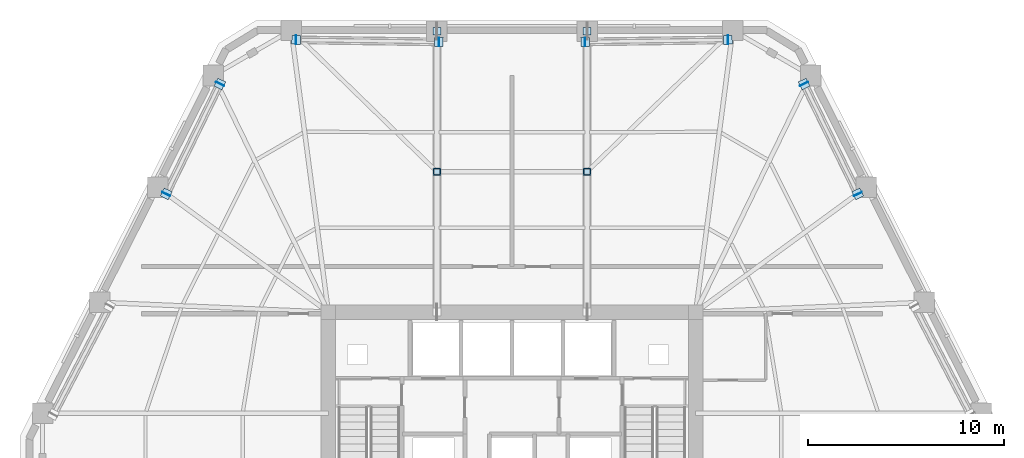
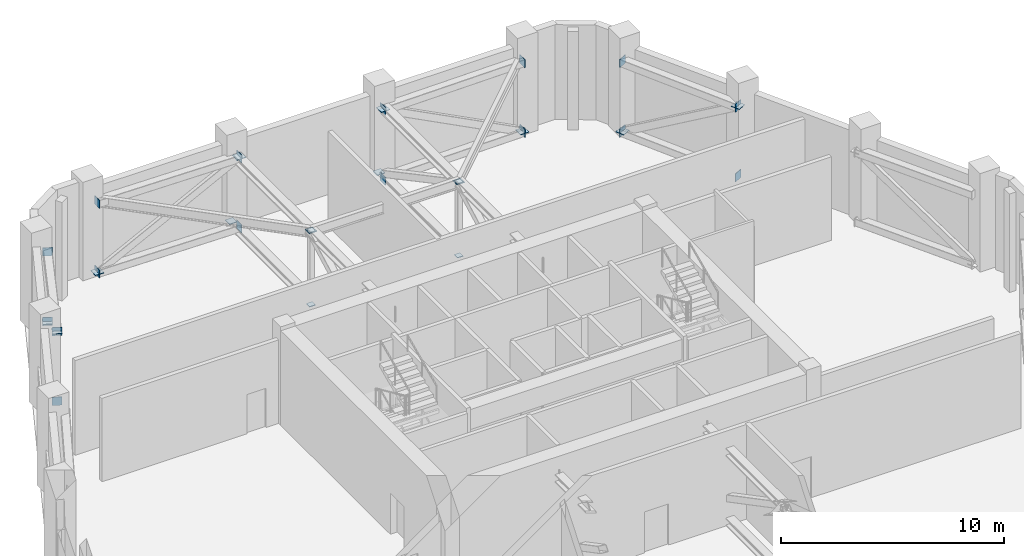
# One storey, part 9 of 15: 32 plates.
"""IFC4 building model written with IfcOpenShell, lengths in metres."""

from ifc_helpers import new_model, si_unit, direction, frame, origin, origin_2d, place, context, subcontext, project, spatial, rectangle, extrude, material, layer, layer_set, type_object, element, save


model = new_model("IFC4")

# Units and contexts
model_context = context("Model", 3, precision=1e-05, world=origin(), true_north=direction((0.0, 1.0)))
body_context = subcontext(model_context, "Body", "Model", "MODEL_VIEW")
ifc_project = project(units=[si_unit("LENGTHUNIT", "METRE"), si_unit("AREAUNIT", "SQUARE_METRE"), si_unit("VOLUMEUNIT", "CUBIC_METRE"), si_unit("PLANEANGLEUNIT", "RADIAN"), si_unit("MASSUNIT", "GRAM", prefix="KILO")], contexts=[model_context])

# Site, building, storey
site_placement = place(None, origin())
site = spatial("IfcSite", under=ifc_project, at=site_placement, CompositionType="ELEMENT")
building_placement = place(site_placement, origin())
building = spatial("IfcBuilding", under=site, at=building_placement, Name="Cinnabar Lancet Tower", CompositionType="ELEMENT")
storey_placement = place(building_placement, frame((0.0, 0.0, 148.10009765625)))
storey = spatial("IfcBuildingStorey", under=building, at=storey_placement, Name="L39", CompositionType="ELEMENT", Elevation=148.10009765625)

# Plates
ifc_material = material(Name="Structural steel S460", Category="steel")
ifc_layer = layer(ifc_material, 0.030029296875)
ifc_layer_set = layer_set([ifc_layer], Name="Structural steel S460")
plate_type = type_object("IfcPlateType", Name="STR-PL-CAP-25", PredefinedType="SHEET", material=ifc_layer_set)
for number, where, z_axis, x_axis, name in (
    (1, (36.23193359375, 40.44091796875, -0.02490234375), (0.0, 0.0, 1.0), (1.0, 0.0, 0.0), "Hollow section end cap plate CP-OTVP-L39-3B"),
    (2, (36.23193359375, 40.44091796875, 4.03466796875), (0.0, 0.0, 1.0), (1.0, 0.0, 0.0), "Hollow section end cap plate CP-OTVP-L39-3T"),
):
    element("IfcPlate", number, at=place(storey_placement, frame(where, z_axis=z_axis, x_axis=x_axis)), inside=storey, type_object=plate_type, Name=name, PredefinedType="SHEET", context=body_context, shape_type="SweptSolid", body=[
        extrude(rectangle(XDim=0.300048828125, YDim=0.300048828125, at=origin_2d()), origin(), (0.0, 0.0, 1.0), 0.030029296875),
    ])
for number, where, z_axis, x_axis, name in (
    (3, (36.23193359375, 40.44091796875, 4.03466796875), (0.0, 0.0, 1.0), (0.0, 1.0, 0.0), "Hollow section end cap plate CP-OTD-L39-3-1B"),
    (4, (36.23193359375, 47.60791015625, 0.19482421875), (0.0, 0.0, 1.0), (0.0, 1.0, 0.0), "Hollow section end cap plate CP-OTD-L39-3-2B"),
):
    element("IfcPlate", number, at=place(storey_placement, frame(where, z_axis=z_axis, x_axis=x_axis)), inside=storey, type_object=plate_type, Name=name, PredefinedType="SHEET", context=body_context, shape_type="SweptSolid", body=[
        extrude(rectangle(XDim=0.39990234375, YDim=0.39990234375, at=origin_2d()), origin(), (0.0, 0.0, 1.0), 0.030029296875),
    ])
for number, where, z_axis, x_axis, name in (
    (5, (28.568115234375, 40.44091796875, -0.02490234375), (0.0, 0.0, 1.0), (1.0, 0.0, 0.0), "Hollow section end cap plate CP-OTVP-L39-4B"),
    (6, (28.568115234375, 40.44091796875, 4.03466796875), (0.0, 0.0, 1.0), (1.0, 0.0, 0.0), "Hollow section end cap plate CP-OTVP-L39-4T"),
):
    element("IfcPlate", number, at=place(storey_placement, frame(where, z_axis=z_axis, x_axis=x_axis)), inside=storey, type_object=plate_type, Name=name, PredefinedType="SHEET", context=body_context, shape_type="SweptSolid", body=[
        extrude(rectangle(XDim=0.300048828125, YDim=0.300048828125, at=origin_2d()), origin(), (0.0, 0.0, 1.0), 0.030029296875),
    ])
for number, where, z_axis, x_axis, name in (
    (7, (28.568115234375, 40.44091796875, 4.03466796875), (0.0, 0.0, 1.0), (0.0, 1.0, 0.0), "Hollow section end cap plate CP-OTD-L39-4-1B"),
    (8, (28.568115234375, 47.60791015625, 0.19482421875), (0.0, 0.0, 1.0), (0.0, 1.0, 0.0), "Hollow section end cap plate CP-OTD-L39-4-2B"),
):
    element("IfcPlate", number, at=place(storey_placement, frame(where, z_axis=z_axis, x_axis=x_axis)), inside=storey, type_object=plate_type, Name=name, PredefinedType="SHEET", context=body_context, shape_type="SweptSolid", body=[
        extrude(rectangle(XDim=0.39990234375, YDim=0.39990234375, at=origin_2d()), origin(), (0.0, 0.0, 1.0), 0.030029296875),
    ])
for number, where, z_axis, x_axis, name in (
    (9, (50.055908203125, 39.303955078125, -0.0048828125), (0.0, 0.0, 1.0), (0.439061241737, -0.898457136431, 0.0), "Hollow section end cap plate CP-BTC-L39-3-3-BC0"),
    (10, (47.306884765625, 44.927001953125, -0.0048828125), (0.0, 0.0, 1.0), (-0.439061241737, 0.898457136431, 0.0), "Hollow section end cap plate CP-BTC-L39-3-3-BC1"),
    (11, (50.055908203125, 39.303955078125, 3.81494140625), (0.0, 0.0, 1.0), (0.439061241737, -0.898457136431, 0.0), "Hollow section end cap plate CP-BTC-L39-3-3-TC0"),
    (12, (47.306884765625, 44.927001953125, 3.81494140625), (0.0, 0.0, 1.0), (-0.439061241737, 0.898457136431, 0.0), "Hollow section end cap plate CP-BTC-L39-3-3-TC1"),
):
    element("IfcPlate", number, at=place(storey_placement, frame(where, z_axis=z_axis, x_axis=x_axis)), inside=storey, type_object=plate_type, Name=name, PredefinedType="SHEET", context=body_context, shape_type="SweptSolid", body=[
        extrude(rectangle(XDim=0.030029296875, YDim=0.449951171875, at=origin_2d()), origin(), (0.0, 0.0, 1.0), 0.449951171875),
    ])
for number, where, z_axis, x_axis, name in (
    (13, (50.052001953125, 39.31103515625, 4.03466796875), (0.0, 0.0, 1.0), (0.439061241737, -0.898457136431, 0.0), "Hollow section end cap plate CP-BTD-L39-3-3-0"),
    (14, (47.31103515625, 44.919921875, 0.19482421875), (0.0, 0.0, 1.0), (-0.439061241737, 0.898457136431, 0.0), "Hollow section end cap plate CP-BTD-L39-3-3-1"),
):
    element("IfcPlate", number, at=place(storey_placement, frame(where, z_axis=z_axis, x_axis=x_axis)), inside=storey, type_object=plate_type, Name=name, PredefinedType="SHEET", context=body_context, shape_type="SweptSolid", body=[
        extrude(rectangle(XDim=0.449951171875, YDim=0.449951171875, at=origin_2d()), origin(), (0.0, 0.0, 1.0), 0.030029296875),
    ])
for number, where, z_axis, x_axis, name in (
    (15, (43.425048828125, 47.172119140625, -0.0048828125), (0.0, 0.0, 1.0), (0.999894062633, 0.014555531948, 0.0), "Hollow section end cap plate CP-BTC-L39-4-1-BC0"),
    (16, (36.12890625, 47.06591796875, -0.0048828125), (0.0, 0.0, 1.0), (-0.999894062633, -0.014555531948, 0.0), "Hollow section end cap plate CP-BTC-L39-4-1-BC1"),
    (17, (43.425048828125, 47.172119140625, 3.81494140625), (0.0, 0.0, 1.0), (0.999894062633, 0.014555531948, 0.0), "Hollow section end cap plate CP-BTC-L39-4-1-TC0"),
    (18, (36.12890625, 47.06591796875, 3.81494140625), (0.0, 0.0, 1.0), (-0.999894062633, -0.014555531948, 0.0), "Hollow section end cap plate CP-BTC-L39-4-1-TC1"),
):
    element("IfcPlate", number, at=place(storey_placement, frame(where, z_axis=z_axis, x_axis=x_axis)), inside=storey, type_object=plate_type, Name=name, PredefinedType="SHEET", context=body_context, shape_type="SweptSolid", body=[
        extrude(rectangle(XDim=0.030029296875, YDim=0.449951171875, at=origin_2d()), origin(), (0.0, 0.0, 1.0), 0.449951171875),
    ])
for number, where, z_axis, x_axis, name in (
    (19, (43.4169921875, 47.172119140625, 0.19482421875), (0.0, 0.0, 1.0), (0.999894062633, 0.014555531948, 0.0), "Hollow section end cap plate CP-BTD-L39-4-1-0"),
    (20, (36.136962890625, 47.06591796875, 4.03466796875), (0.0, 0.0, 1.0), (-0.999894062633, -0.014555531948, 0.0), "Hollow section end cap plate CP-BTD-L39-4-1-1"),
):
    element("IfcPlate", number, at=place(storey_placement, frame(where, z_axis=z_axis, x_axis=x_axis)), inside=storey, type_object=plate_type, Name=name, PredefinedType="SHEET", context=body_context, shape_type="SweptSolid", body=[
        extrude(rectangle(XDim=0.449951171875, YDim=0.449951171875, at=origin_2d()), origin(), (0.0, 0.0, 1.0), 0.030029296875),
    ])
for number, where, z_axis, x_axis, name in (
    (21, (28.6708984375, 47.06591796875, -0.0048828125), (0.0, 0.0, 1.0), (0.999894062633, -0.014555531948, 0.0), "Hollow section end cap plate CP-BTC-L39-4-3-BC0"),
    (22, (21.375, 47.172119140625, -0.0048828125), (0.0, 0.0, 1.0), (-0.999894062633, 0.014555531948, 0.0), "Hollow section end cap plate CP-BTC-L39-4-3-BC1"),
    (23, (28.6708984375, 47.06591796875, 3.81494140625), (0.0, 0.0, 1.0), (0.999894062633, -0.014555531948, 0.0), "Hollow section end cap plate CP-BTC-L39-4-3-TC0"),
    (24, (21.375, 47.172119140625, 3.81494140625), (0.0, 0.0, 1.0), (-0.999894062633, 0.014555531948, 0.0), "Hollow section end cap plate CP-BTC-L39-4-3-TC1"),
):
    element("IfcPlate", number, at=place(storey_placement, frame(where, z_axis=z_axis, x_axis=x_axis)), inside=storey, type_object=plate_type, Name=name, PredefinedType="SHEET", context=body_context, shape_type="SweptSolid", body=[
        extrude(rectangle(XDim=0.030029296875, YDim=0.449951171875, at=origin_2d()), origin(), (0.0, 0.0, 1.0), 0.449951171875),
    ])
for number, where, z_axis, x_axis, name in (
    (25, (28.6630859375, 47.06591796875, 4.03466796875), (0.0, 0.0, 1.0), (0.999894062633, -0.014555531948, 0.0), "Hollow section end cap plate CP-BTD-L39-4-3-0"),
    (26, (21.383056640625, 47.172119140625, 0.19482421875), (0.0, 0.0, 1.0), (-0.999894062633, 0.014555531948, 0.0), "Hollow section end cap plate CP-BTD-L39-4-3-1"),
):
    element("IfcPlate", number, at=place(storey_placement, frame(where, z_axis=z_axis, x_axis=x_axis)), inside=storey, type_object=plate_type, Name=name, PredefinedType="SHEET", context=body_context, shape_type="SweptSolid", body=[
        extrude(rectangle(XDim=0.449951171875, YDim=0.449951171875, at=origin_2d()), origin(), (0.0, 0.0, 1.0), 0.030029296875),
    ])
for number, where, z_axis, x_axis, name in (
    (27, (17.492919921875, 44.927001953125, -0.0048828125), (0.0, 0.0, 1.0), (0.439061241737, 0.898457136431, 0.0), "Hollow section end cap plate CP-BTC-L39-5-1-BC0"),
    (28, (14.743896484375, 39.303955078125, -0.0048828125), (0.0, 0.0, 1.0), (-0.439061241737, -0.898457136431, 0.0), "Hollow section end cap plate CP-BTC-L39-5-1-BC1"),
    (29, (17.492919921875, 44.927001953125, 3.81494140625), (0.0, 0.0, 1.0), (0.439061241737, 0.898457136431, 0.0), "Hollow section end cap plate CP-BTC-L39-5-1-TC0"),
    (30, (14.743896484375, 39.303955078125, 3.81494140625), (0.0, 0.0, 1.0), (-0.439061241737, -0.898457136431, 0.0), "Hollow section end cap plate CP-BTC-L39-5-1-TC1"),
):
    element("IfcPlate", number, at=place(storey_placement, frame(where, z_axis=z_axis, x_axis=x_axis)), inside=storey, type_object=plate_type, Name=name, PredefinedType="SHEET", context=body_context, shape_type="SweptSolid", body=[
        extrude(rectangle(XDim=0.030029296875, YDim=0.449951171875, at=origin_2d()), origin(), (0.0, 0.0, 1.0), 0.449951171875),
    ])
for number, where, z_axis, x_axis, name in (
    (31, (17.489013671875, 44.919921875, 0.19482421875), (0.0, 0.0, 1.0), (0.439061241737, 0.898457136431, 0.0), "Hollow section end cap plate CP-BTD-L39-5-1-0"),
    (32, (14.748046875, 39.31103515625, 4.03466796875), (0.0, 0.0, 1.0), (-0.439061241737, -0.898457136431, 0.0), "Hollow section end cap plate CP-BTD-L39-5-1-1"),
):
    element("IfcPlate", number, at=place(storey_placement, frame(where, z_axis=z_axis, x_axis=x_axis)), inside=storey, type_object=plate_type, Name=name, PredefinedType="SHEET", context=body_context, shape_type="SweptSolid", body=[
        extrude(rectangle(XDim=0.449951171875, YDim=0.449951171875, at=origin_2d()), origin(), (0.0, 0.0, 1.0), 0.030029296875),
    ])

save(model, "model.ifc")
